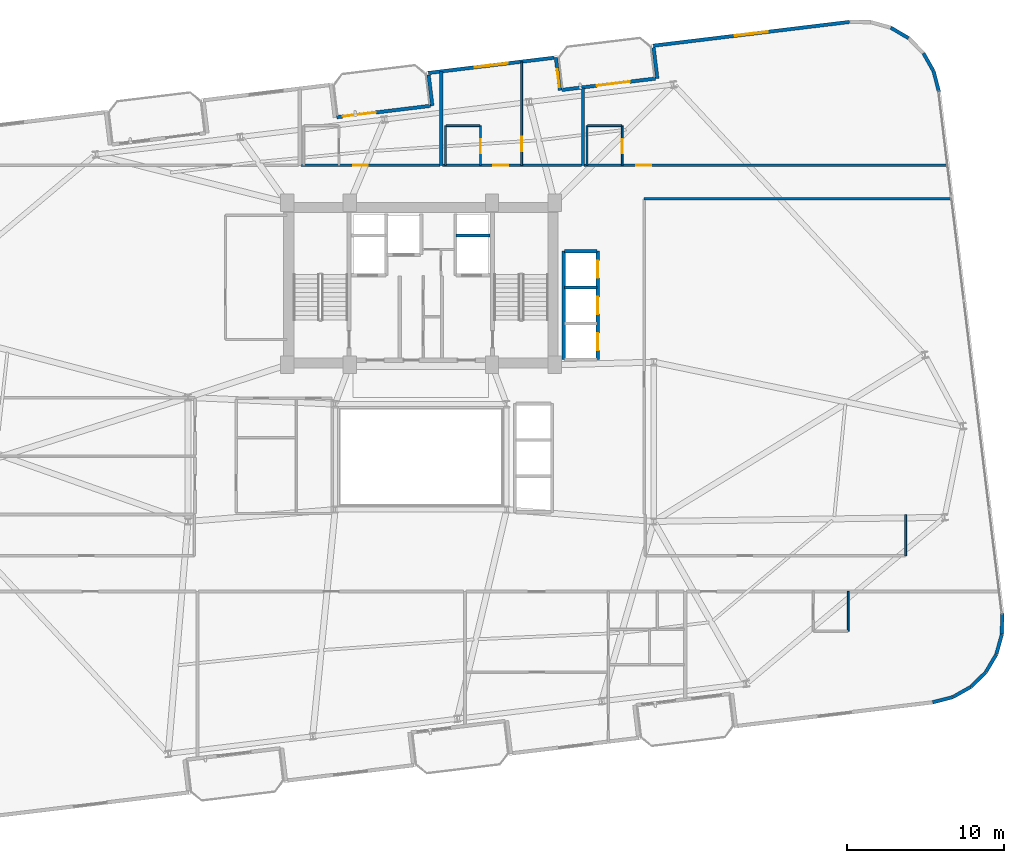
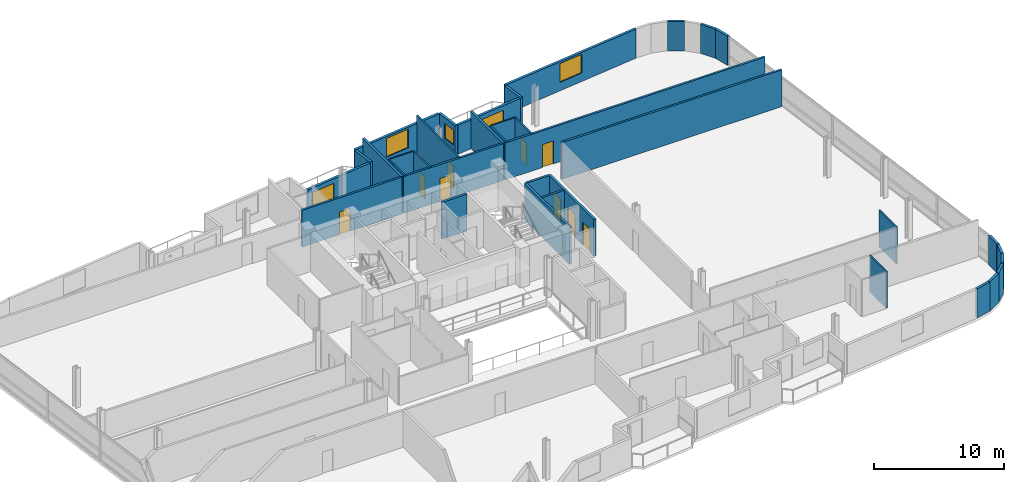
# One storey, part 17 of 22: 36 walls, 11 doors, 3 windows, 14 openings.
"""IFC4 building model written with IfcOpenShell, lengths in metres."""

import ifcopenshell
import ifcopenshell.guid

model = None  # the IFC model being written
_history = None  # IfcOwnerHistory: only IFC2X3 demands one
_inside = {}  # id of a spatial element -> (the spatial element, [elements in it])
_under = {}  # id of a project, library or spatial element -> (it, [spatial elements below it])
_declared = {}  # id of a project -> (the project, [libraries it declares])
_typed = {}  # id of a type object -> (the type object, [elements of that type])
_made_of = {}  # id of a material, layer set ... -> (it, [elements and type objects made of it])


def new_model(schema):
    """Start an empty IFC model of exactly this schema.

    Asked for "IFC4X3", IfcOpenShell would pick the latest addendum, in which some entities
    have other attributes; the version numbers below select the first issue.
    IFC2X3 requires an IfcOwnerHistory on every rooted entity: one is made here for all.
    """
    global model, _history
    if schema == "IFC4X3":
        model = ifcopenshell.file(schema_version=(4, 3, 0, 0))
    else:
        model = ifcopenshell.file(schema=schema)
    _inside.clear()
    _under.clear()
    _declared.clear()
    _typed.clear()
    _made_of.clear()
    _history = None
    if model.schema == "IFC2X3":
        org = make("IfcOrganization", Name="unknown")
        user = make(
            "IfcPersonAndOrganization",
            ThePerson=make("IfcPerson", FamilyName="unknown"),
            TheOrganization=org,
        )
        app = make(
            "IfcApplication",
            ApplicationDeveloper=org,
            Version="unknown",
            ApplicationFullName="unknown",
            ApplicationIdentifier="unknown",
        )
        _history = make(
            "IfcOwnerHistory",
            OwningUser=user,
            OwningApplication=app,
            ChangeAction="ADDED",
            CreationDate=0,
        )
    return model


def make(cls, **values):
    """One entity of the class cls with the attributes given. An attribute that is None is left unset."""
    return model.create_entity(
        cls, **{name: value for name, value in values.items() if value is not None}
    )


def rooted(cls, **values):
    """An entity with a GlobalId (a new one), such as an element, a storey or a relation."""
    return make(cls, GlobalId=ifcopenshell.guid.new(), OwnerHistory=_history, **values)


def si_unit(unit_type, name, prefix=None):
    """IfcSIUnit, for example si_unit("LENGTHUNIT", "METRE", prefix="MILLI")."""
    return make("IfcSIUnit", UnitType=unit_type, Prefix=prefix, Name=name)


def assignment(units):
    """IfcUnitAssignment: the units of a project."""
    return None if units is None else make("IfcUnitAssignment", Units=units)


def point(xyz):
    """IfcCartesianPoint."""
    return None if xyz is None else make("IfcCartesianPoint", Coordinates=xyz)


def direction(xyz):
    """IfcDirection."""
    return None if xyz is None else make("IfcDirection", DirectionRatios=xyz)


def frame(location, z_axis=None, x_axis=None):
    """IfcAxis2Placement3D, a coordinate frame: its origin and axes. An axis left out is left unset."""
    return make(
        "IfcAxis2Placement3D",
        Location=point(location),
        Axis=direction(z_axis),
        RefDirection=direction(x_axis),
    )


def frame_2d(location, x_axis=None):
    """IfcAxis2Placement2D, a coordinate frame in the plane: its origin and x axis."""
    return make(
        "IfcAxis2Placement2D", Location=point(location), RefDirection=direction(x_axis)
    )


def origin():
    """The frame at (0, 0, 0) with its axes left unset."""
    return frame((0.0, 0.0, 0.0))


def place(relative_to, where):
    """IfcLocalPlacement: puts the frame where relative to a parent placement (None: the world)."""
    return make(
        "IfcLocalPlacement", PlacementRelTo=relative_to, RelativePlacement=where
    )


def context(
    kind, dimensions, precision=None, world=None, true_north=None, identifier=None
):
    """IfcGeometricRepresentationContext, for example the 3D "Model" context."""
    return make(
        "IfcGeometricRepresentationContext",
        ContextIdentifier=identifier,
        ContextType=kind,
        CoordinateSpaceDimension=dimensions,
        Precision=precision,
        WorldCoordinateSystem=world,
        TrueNorth=true_north,
    )


def subcontext(parent, identifier, kind, view, scale=None):
    """IfcGeometricRepresentationSubContext, for example "Body" below "Model"."""
    return make(
        "IfcGeometricRepresentationSubContext",
        ContextIdentifier=identifier,
        ContextType=kind,
        ParentContext=parent,
        TargetScale=scale,
        TargetView=view,
    )


def project(units=None, contexts=None):
    """IfcProject with its units and contexts."""
    return rooted(
        "IfcProject",
        Name="project",
        RepresentationContexts=contexts,
        UnitsInContext=assignment(units),
    )


def spatial(cls, under=None, at=None, **own):
    """A site, building, storey or space (cls), placed at a placement, below another one or the project."""
    s = rooted(cls, ObjectPlacement=at, **own)
    if under is not None:
        _under.setdefault(under.id(), (under, []))[1].append(s)
    return s


def profile(cls, at=None, kind="AREA", **sizes):
    """A parametric profile (cls). Its sizes go by their IFC names, for example OverallWidth=200.0."""
    return make(cls, ProfileType=kind, Position=at, **sizes)


def rectangle(**sizes):
    """IfcRectangleProfileDef."""
    return profile("IfcRectangleProfileDef", **sizes)


def extrude(swept, where, along, depth):
    """IfcExtrudedAreaSolid: the profile swept, set in the frame where, extruded along a direction by depth."""
    return make(
        "IfcExtrudedAreaSolid",
        SweptArea=swept,
        Position=where,
        ExtrudedDirection=direction(along),
        Depth=depth,
    )


def shape(context_of_items, identifier, shape_type, items):
    """IfcShapeRepresentation: the items that make up one representation, for example the "Body"."""
    return make(
        "IfcShapeRepresentation",
        ContextOfItems=context_of_items,
        RepresentationIdentifier=identifier,
        RepresentationType=shape_type,
        Items=items,
    )


def material(Name=None, Category=None):
    """IfcMaterial."""
    return make("IfcMaterial", Name=Name, Category=Category)


def layer(
    of_material, thickness, ventilated=None, Name=None, Category=None, Priority=None
):
    """IfcMaterialLayer: one layer of a wall or slab, of a material (None: an air gap)."""
    return make(
        "IfcMaterialLayer",
        Material=of_material,
        LayerThickness=thickness,
        IsVentilated=ventilated,
        Name=Name,
        Category=Category,
        Priority=Priority,
    )


def layer_set(layers, Name=None):
    """IfcMaterialLayerSet."""
    return make("IfcMaterialLayerSet", MaterialLayers=layers, LayerSetName=Name)


def made_of(thing, what):
    """Note that an element or type object is made of a material, layer set ...; save() writes the relation."""
    if what is not None:
        _made_of.setdefault(what.id(), (what, []))[1].append(thing)
    return thing


def type_object(cls, material=None, **own):
    """A type object (cls), such as IfcWallType, which elements share."""
    return made_of(rooted(cls, **own), material)


def element(
    cls,
    number,
    at=None,
    inside=None,
    cuts=None,
    type_object=None,
    material=None,
    context=None,
    identifier="Body",
    shape_type=None,
    held_by="IfcProductDefinitionShape",
    body=None,
    shapes=None,
    **own,
):
    """One element of the class cls, such as IfcWall. Its Tag is "e" and its number.

    at: its placement. inside: the storey or other place that contains it. cuts: it is an
    opening in that element (IfcRelVoidsElement). A single representation is given by context,
    identifier, shape_type and body (its items); several are given by shapes. held_by: the class
    of the entity that holds the representations. save() writes the other relations.
    """
    e = rooted(cls, Tag="e%d" % number, ObjectPlacement=at, **own)
    if body is not None:
        shapes = [shape(context, identifier, shape_type, body)]
    if shapes is not None:
        e.Representation = make(held_by, Representations=shapes)
    if inside is not None:
        _inside.setdefault(inside.id(), (inside, []))[1].append(e)
    if cuts is not None:
        rooted(
            "IfcRelVoidsElement", RelatingBuildingElement=cuts, RelatedOpeningElement=e
        )
    if type_object is not None:
        _typed.setdefault(type_object.id(), (type_object, []))[1].append(e)
    return made_of(e, material)


def fill(opening, filler):
    """IfcRelFillsElement: the door or window that sits in an opening."""
    return rooted(
        "IfcRelFillsElement",
        RelatingOpeningElement=opening,
        RelatedBuildingElement=filler,
    )


def aggregate(whole, parts):
    """IfcRelAggregates: a whole, such as a stair, and the parts it consists of."""
    return rooted("IfcRelAggregates", RelatingObject=whole, RelatedObjects=parts)


def save(model, path):
    """Write the relations noted so far, then the file.

    IfcRelAggregates (storeys below a building ...), IfcRelContainedInSpatialStructure (elements
    in a storey), IfcRelDefinesByType, IfcRelAssociatesMaterial and IfcRelDeclares: one each for
    every whole, place, type object, material and project.
    """
    for whole, parts in _under.values():
        aggregate(whole, parts)
    for where, things in _inside.values():
        rooted(
            "IfcRelContainedInSpatialStructure",
            RelatedElements=things,
            RelatingStructure=where,
        )
    for kind, things in _typed.values():
        rooted("IfcRelDefinesByType", RelatedObjects=things, RelatingType=kind)
    for what, things in _made_of.values():
        rooted("IfcRelAssociatesMaterial", RelatedObjects=things, RelatingMaterial=what)
    for by, libraries in _declared.values():
        rooted("IfcRelDeclares", RelatingContext=by, RelatedDefinitions=libraries)
    model.write(path)


model = new_model("IFC4")

# Units and contexts
model_context = context("Model", 3, precision=1e-05, world=origin(), true_north=direction((0.0, 1.0)))
body_context = subcontext(model_context, "Body", "Model", "MODEL_VIEW")
ifc_project = project(units=[si_unit("LENGTHUNIT", "METRE"), si_unit("AREAUNIT", "SQUARE_METRE"), si_unit("VOLUMEUNIT", "CUBIC_METRE"), si_unit("PLANEANGLEUNIT", "RADIAN"), si_unit("MASSUNIT", "GRAM", prefix="KILO")], contexts=[model_context])

# Site, building, storey
site_placement = place(None, origin())
site = spatial("IfcSite", under=ifc_project, at=site_placement, CompositionType="ELEMENT")
building_placement = place(site_placement, origin())
building = spatial("IfcBuilding", under=site, at=building_placement, Name="Varnelok Gate Tower", CompositionType="ELEMENT")
storey_placement = place(building_placement, frame((0.0, 0.0, 185.699951171875)))
storey = spatial("IfcBuildingStorey", under=building, at=storey_placement, Name="L47", CompositionType="ELEMENT", Elevation=185.699951171875)

# Wall, opening, door
ifc_material_1 = material(Name="Concrete C45/55", Category="concrete")
ifc_layer_1 = layer(ifc_material_1, 0.219970703125)
ifc_layer_set_1 = layer_set([ifc_layer_1], Name="Concrete C45/55")
wall_type_1 = type_object("IfcWallType", Name="EW-BALC-220", PredefinedType="SOLIDWALL", material=ifc_layer_set_1)
wall_1_placement = place(storey_placement, frame((33.852294921875, 44.48583984375, 0.0), z_axis=(0.0, 0.0, 1.0), x_axis=(0.992729951822, 0.120362962556, 0.0)))
wall_1 = element("IfcWall", 1, at=wall_1_placement, inside=storey, type_object=wall_type_1, Name="L47 North Terrace Envelope Wall 5", PredefinedType="SOLIDWALL", context=body_context, shape_type="SweptSolid", body=[
    extrude(rectangle(XDim=6.0, YDim=0.219970703125, at=frame_2d((3.0, 0.0))), origin(), (0.0, 0.0, 1.0), 2.72998046875),
])
opening_1_placement = place(wall_1_placement, frame((0.39990234375, 0.0, 0.0)))
opening_1 = element("IfcOpeningElement", 2, at=opening_1_placement, cuts=wall_1, Name="Opening BD-2", PredefinedType="OPENING", context=body_context, shape_type="SweptSolid", body=[
    extrude(rectangle(XDim=2.10009765625, YDim=2.300048828125, at=frame_2d((1.050048828125, 1.14990234375))), frame((0.0, 0.119873046875, 0.0), z_axis=(0.0, -1.0, 0.0), x_axis=(1.0, 0.0, 0.0)), (0.0, 0.0, 1.0), 0.239990234375),
])
ifc_material_2 = material(Name="Anodized Aluminum Alloy 6063-T6", Category="aluminium")
door_type_1 = type_object("IfcDoorType", Name="DR-EXT-SLID2100", OperationType="SLIDING_TO_LEFT", PredefinedType="DOOR", material=ifc_material_2)
door_1_placement = place(opening_1_placement, origin())
door_1 = element("IfcDoor", 3, at=door_1_placement, inside=storey, type_object=door_type_1, Name="L47 North Balcony Glazed Door 5", OperationType="SLIDING_TO_LEFT", OverallHeight=2.300048828125, OverallWidth=2.10009765625, PredefinedType="DOOR", context=body_context, shape_type="SweptSolid", body=[
    extrude(rectangle(XDim=2.10009765625, YDim=2.300048828125, at=frame_2d((1.050048828125, 1.14990234375))), frame((0.0, 0.02490234375, 0.0), z_axis=(0.0, -1.0, 0.0), x_axis=(1.0, 0.0, 0.0)), (0.0, 0.0, 1.0), 0.050048828125),
])
fill(opening_1, door_1)

wall_2_placement = place(storey_placement, frame((48.147705078125, 46.21875, 0.0), z_axis=(0.0, 0.0, 1.0), x_axis=(0.992729951822, 0.120362962556, 0.0)))
wall_2 = element("IfcWall", 4, at=wall_2_placement, inside=storey, type_object=wall_type_1, Name="L47 North Terrace Envelope Wall 6", PredefinedType="SOLIDWALL", context=body_context, shape_type="SweptSolid", body=[
    extrude(rectangle(XDim=6.0, YDim=0.219970703125, at=frame_2d((3.0, 0.0))), origin(), (0.0, 0.0, 1.0), 2.72998046875),
])
opening_2_placement = place(wall_2_placement, frame((2.260009765625, 0.0, 0.0)))
opening_2 = element("IfcOpeningElement", 5, at=opening_2_placement, cuts=wall_2, Name="Opening BD-2", PredefinedType="OPENING", context=body_context, shape_type="SweptSolid", body=[
    extrude(rectangle(XDim=2.10009765625, YDim=2.300048828125, at=frame_2d((1.050048828125, 1.14990234375))), frame((0.0, 0.119873046875, 0.0), z_axis=(0.0, -1.0, 0.0), x_axis=(1.0, 0.0, 0.0)), (0.0, 0.0, 1.0), 0.239990234375),
])
door_2_placement = place(opening_2_placement, origin())
door_2 = element("IfcDoor", 6, at=door_2_placement, inside=storey, type_object=door_type_1, Name="L47 North Balcony Glazed Door 6", OperationType="SLIDING_TO_LEFT", OverallHeight=2.300048828125, OverallWidth=2.10009765625, PredefinedType="DOOR", context=body_context, shape_type="SweptSolid", body=[
    extrude(rectangle(XDim=2.10009765625, YDim=2.300048828125, at=frame_2d((1.050048828125, 1.14990234375))), frame((0.0, 0.02490234375, 0.0), z_axis=(0.0, -1.0, 0.0), x_axis=(1.0, 0.0, 0.0)), (0.0, 0.0, 1.0), 0.050048828125),
])
fill(opening_2, door_2)

# Walls
wall_3_placement = place(storey_placement, frame((71.71875, 7.305908203125, 0.0), z_axis=(0.0, 0.0, 1.0), x_axis=(0.968541764193, 0.248851061909, 0.0)))
element("IfcWall", 7, at=wall_3_placement, inside=storey, type_object=wall_type_1, Name="L47 Perimeter Facade Closure Wall 17", PredefinedType="SOLIDWALL", context=body_context, shape_type="SweptSolid", body=[
    extrude(rectangle(XDim=1.308837890625, YDim=0.219970703125, at=frame_2d((0.654296875, 0.0))), origin(), (0.0, 0.0, 1.0), 2.72998046875),
])
for number, where, z_axis, x_axis, name in (
    (8, (73.00830078125, 7.64404296875, 0.0), (0.0, 0.0, 1.0), (0.87105877335, 0.491178799797, 0.0), "L47 Perimeter Facade Closure Wall 18"),
    (9, (74.1591796875, 8.30029296875, 0.0), (0.0, 0.0, 1.0), (0.714295394827, 0.699844331926, 0.0), "L47 Perimeter Facade Closure Wall 19"),
    (10, (75.101318359375, 9.232177734375, 0.0), (0.0, 0.0, 1.0), (0.508798863936, 0.860885425627, 0.0), "L47 Perimeter Facade Closure Wall 20"),
    (11, (75.77001953125, 10.376220703125, 0.0), (0.0, 0.0, 1.0), (0.26859243053, 0.963253915778, 0.0), "L47 Perimeter Facade Closure Wall 21"),
):
    element("IfcWall", number, at=place(storey_placement, frame(where, z_axis=z_axis, x_axis=x_axis)), inside=storey, type_object=wall_type_1, Name=name, PredefinedType="SOLIDWALL", context=body_context, shape_type="SweptSolid", body=[
        extrude(rectangle(XDim=1.30078125, YDim=0.219970703125, at=frame_2d((0.650390625, 0.0))), origin(), (0.0, 0.0, 1.0), 2.72998046875),
    ])
wall_4_placement = place(storey_placement, frame((76.11962890625, 11.654052734375, 0.0), z_axis=(0.0, 0.0, 1.0), x_axis=(0.01032033607, 0.999946743914, 0.0)))
element("IfcWall", 12, at=wall_4_placement, inside=storey, type_object=wall_type_1, Name="L47 Perimeter Facade Closure Wall 22", PredefinedType="SOLIDWALL", context=body_context, shape_type="SweptSolid", body=[
    extrude(rectangle(XDim=1.301025390625, YDim=0.219970703125, at=frame_2d((0.650390625, 0.0))), origin(), (0.0, 0.0, 1.0), 2.72998046875),
])
wall_5_placement = place(storey_placement, frame((72.113525390625, 46.1123046875, 0.0), z_axis=(0.0, 0.0, 1.0), x_axis=(-0.248942347653, 0.968518305219, 0.0)))
element("IfcWall", 13, at=wall_5_placement, inside=storey, type_object=wall_type_1, Name="L47 Perimeter Facade Closure Wall 23", PredefinedType="SOLIDWALL", context=body_context, shape_type="SweptSolid", body=[
    extrude(rectangle(XDim=1.325927734375, YDim=0.219970703125, at=frame_2d((0.6630859375, 0.0))), origin(), (0.0, 0.0, 1.0), 2.72998046875),
])
for number, where, z_axis, x_axis, name in (
    (14, (71.771240234375, 47.418212890625, 0.0), (0.0, 0.0, 1.0), (-0.491098509465, 0.871104043155, 0.0), "L47 Perimeter Facade Closure Wall 24"),
    (15, (70.18310546875, 49.51123046875, 0.0), (0.0, 0.0, 1.0), (-0.860933999601, 0.508716668029, 0.0), "L47 Perimeter Facade Closure Wall 26"),
):
    element("IfcWall", number, at=place(storey_placement, frame(where, z_axis=z_axis, x_axis=x_axis)), inside=storey, type_object=wall_type_1, Name=name, PredefinedType="SOLIDWALL", context=body_context, shape_type="SweptSolid", body=[
        extrude(rectangle(XDim=1.301025390625, YDim=0.219970703125, at=frame_2d((0.650390625, 0.0))), origin(), (0.0, 0.0, 1.0), 2.72998046875),
    ])

# Wall, opening, window
wall_6_placement = place(storey_placement, frame((66.427490234375, 50.5400390625, 0.0), z_axis=(0.0, 0.0, 1.0), x_axis=(-0.992731739233, -0.120348219431, 0.0)))
wall_6 = element("IfcWall", 16, at=wall_6_placement, inside=storey, type_object=wall_type_1, Name="L47 Perimeter Facade Closure Wall 29", PredefinedType="SOLIDWALL", context=body_context, shape_type="SweptSolid", body=[
    extrude(rectangle(XDim=12.547119140625, YDim=0.219970703125, at=frame_2d((6.2734375, 0.0))), origin(), (0.0, 0.0, 1.0), 2.72998046875),
])
opening_3_placement = place(wall_6_placement, frame((5.2236328125, 0.0, 0.800048828125)))
opening_3 = element("IfcOpeningElement", 17, at=opening_3_placement, cuts=wall_6, Name="Opening WN4", PredefinedType="OPENING", context=body_context, shape_type="SweptSolid", body=[
    extrude(rectangle(XDim=2.10009765625, YDim=1.75, at=frame_2d((1.050048828125, 0.875))), frame((0.0, 0.119873046875, 0.0), z_axis=(0.0, -1.0, 0.0), x_axis=(1.0, 0.0, 0.0)), (0.0, 0.0, 1.0), 0.239990234375),
])
ifc_material_3 = material(Name="Low-E Laminated Double Glazing IGU", Category="glass")
window_type_1 = type_object("IfcWindowType", Name="WN-SUI-2100", PartitioningType="SINGLE_PANEL", PredefinedType="WINDOW", material=ifc_material_3)
window_1_placement = place(opening_3_placement, origin())
window_1 = element("IfcWindow", 18, at=window_1_placement, inside=storey, type_object=window_type_1, Name="L47 Perimeter Vision Window 29", OverallHeight=1.75, OverallWidth=2.10009765625, PartitioningType="SINGLE_PANEL", PredefinedType="WINDOW", context=body_context, shape_type="SweptSolid", body=[
    extrude(rectangle(XDim=2.10009765625, YDim=1.75, at=frame_2d((1.050048828125, 0.875))), frame((0.0, 0.030029296875, 0.0), z_axis=(0.0, -1.0, 0.0), x_axis=(1.0, 0.0, 0.0)), (0.0, 0.0, 1.0), 0.06005859375),
])
fill(opening_3, window_1)

# Wall
wall_7_placement = place(storey_placement, frame((53.986572265625, 48.906005859375, 0.0), z_axis=(0.0, 0.0, 1.0), x_axis=(0.120397815541, -0.992725725472, 0.0)))
element("IfcWall", 19, at=wall_7_placement, inside=storey, type_object=wall_type_1, Name="L47 Perimeter Facade Closure Wall 30", PredefinedType="SOLIDWALL", context=body_context, shape_type="SweptSolid", body=[
    extrude(rectangle(XDim=1.97509765625, YDim=0.219970703125, at=frame_2d((0.987548828125, 0.0))), origin(), (0.0, 0.0, 1.0), 2.72998046875),
])

# Wall, opening, window
wall_8_placement = place(storey_placement, frame((48.029541015625, 46.1943359375, 0.0), z_axis=(0.0, 0.0, 1.0), x_axis=(-0.120314009587, 0.992735885871, 0.0)))
wall_8 = element("IfcWall", 20, at=wall_8_placement, inside=storey, type_object=wall_type_1, Name="L47 Perimeter Facade Closure Wall 31", PredefinedType="SOLIDWALL", context=body_context, shape_type="SweptSolid", body=[
    extrude(rectangle(XDim=2.10009765625, YDim=0.219970703125, at=frame_2d((1.050048828125, 0.0))), origin(), (0.0, 0.0, 1.0), 2.72998046875),
])
opening_4_placement = place(wall_8_placement, frame((0.199951171875, 0.0, 0.800048828125)))
opening_4 = element("IfcOpeningElement", 21, at=opening_4_placement, cuts=wall_8, Name="Opening WN8", PredefinedType="OPENING", context=body_context, shape_type="SweptSolid", body=[
    extrude(rectangle(XDim=1.14990234375, YDim=1.39990234375, at=frame_2d((0.574951171875, 0.699951171875))), frame((0.0, 0.119873046875, 0.0), z_axis=(0.0, -1.0, 0.0), x_axis=(1.0, 0.0, 0.0)), (0.0, 0.0, 1.0), 0.239990234375),
])
window_type_2 = type_object("IfcWindowType", Name="WN-BED-1150", PartitioningType="SINGLE_PANEL", PredefinedType="WINDOW", material=ifc_material_3)
window_2_placement = place(opening_4_placement, origin())
window_2 = element("IfcWindow", 22, at=window_2_placement, inside=storey, type_object=window_type_2, Name="L47 Bedroom Vision Window 27", OverallHeight=1.39990234375, OverallWidth=1.14990234375, PartitioningType="SINGLE_PANEL", PredefinedType="WINDOW", context=body_context, shape_type="SweptSolid", body=[
    extrude(rectangle(XDim=1.14990234375, YDim=1.39990234375, at=frame_2d((0.574951171875, 0.699951171875))), frame((0.0, 0.030029296875, 0.0), z_axis=(0.0, -1.0, 0.0), x_axis=(1.0, 0.0, 0.0)), (0.0, 0.0, 1.0), 0.06005859375),
])
fill(opening_4, window_2)

wall_9_placement = place(storey_placement, frame((47.65283203125, 48.26416015625, 0.0), z_axis=(0.0, 0.0, 1.0), x_axis=(-0.992731032022, -0.120354052946, 0.0)))
wall_9 = element("IfcWall", 23, at=wall_9_placement, inside=storey, type_object=wall_type_1, Name="L47 Perimeter Facade Closure Wall 32", PredefinedType="SOLIDWALL", context=body_context, shape_type="SweptSolid", body=[
    extrude(rectangle(XDim=8.034912109375, YDim=0.219970703125, at=frame_2d((4.017578125, 0.0))), origin(), (0.0, 0.0, 1.0), 2.72998046875),
])
opening_5_placement = place(wall_9_placement, frame((2.967529296875, 0.0, 0.800048828125)))
opening_5 = element("IfcOpeningElement", 24, at=opening_5_placement, cuts=wall_9, Name="Opening WN4", PredefinedType="OPENING", context=body_context, shape_type="SweptSolid", body=[
    extrude(rectangle(XDim=2.10009765625, YDim=1.75, at=frame_2d((1.050048828125, 0.875))), frame((0.0, 0.119873046875, 0.0), z_axis=(0.0, -1.0, 0.0), x_axis=(1.0, 0.0, 0.0)), (0.0, 0.0, 1.0), 0.239990234375),
])
window_3_placement = place(opening_5_placement, origin())
window_3 = element("IfcWindow", 25, at=window_3_placement, inside=storey, type_object=window_type_1, Name="L47 Perimeter Vision Window 32", OverallHeight=1.75, OverallWidth=2.10009765625, PartitioningType="SINGLE_PANEL", PredefinedType="WINDOW", context=body_context, shape_type="SweptSolid", body=[
    extrude(rectangle(XDim=2.10009765625, YDim=1.75, at=frame_2d((1.050048828125, 0.875))), frame((0.0, 0.030029296875, 0.0), z_axis=(0.0, -1.0, 0.0), x_axis=(1.0, 0.0, 0.0)), (0.0, 0.0, 1.0), 0.06005859375),
])
fill(opening_5, window_3)

# Wall
wall_10_placement = place(storey_placement, frame((39.691162109375, 47.173095703125, 0.0), z_axis=(0.0, 0.0, 1.0), x_axis=(0.120397815541, -0.992725725472, 0.0)))
element("IfcWall", 26, at=wall_10_placement, inside=storey, type_object=wall_type_1, Name="L47 Perimeter Facade Closure Wall 33", PredefinedType="SOLIDWALL", context=body_context, shape_type="SweptSolid", body=[
    extrude(rectangle(XDim=1.97509765625, YDim=0.219970703125, at=frame_2d((0.987548828125, 0.0))), origin(), (0.0, 0.0, 1.0), 2.72998046875),
])

# Wall, opening, door
ifc_material_4 = material(Name="Gypsum Plasterboard Acoustic Partition", Category="gypsum")
ifc_layer_2 = layer(ifc_material_4, 0.179931640625)
ifc_layer_set_2 = layer_set([ifc_layer_2], Name="Gypsum Plasterboard Acoustic Partition")
wall_type_2 = type_object("IfcWallType", Name="PW-CORR-180", PredefinedType="PARTITIONING", material=ifc_layer_set_2)
wall_11_placement = place(storey_placement, frame((31.580078125, 41.429931640625, 0.0), z_axis=(0.0, 0.0, 1.0), x_axis=(1.0, 0.0, 0.0)))
wall_11 = element("IfcWall", 27, at=wall_11_placement, inside=storey, type_object=wall_type_2, Name="Interior Partition", PredefinedType="PARTITIONING", context=body_context, shape_type="SweptSolid", body=[
    extrude(rectangle(XDim=8.83984375, YDim=0.179931640625, at=frame_2d((4.419921875, 0.0))), origin(), (0.0, 0.0, 1.0), 3.449951171875),
])
opening_6_placement = place(wall_11_placement, frame((3.307861328125, 0.0, 0.0)))
opening_6 = element("IfcOpeningElement", 28, at=opening_6_placement, cuts=wall_11, Name="Opening D-HT", PredefinedType="OPENING", context=body_context, shape_type="SweptSolid", body=[
    extrude(rectangle(XDim=0.949951171875, YDim=2.14990234375, at=frame_2d((0.47509765625, 1.074951171875))), frame((0.0, 0.099853515625, 0.0), z_axis=(0.0, -1.0, 0.0), x_axis=(1.0, 0.0, 0.0)), (0.0, 0.0, 1.0), 0.199951171875),
])
ifc_material_5 = material(Name="Engineered Hardwood Timber", Category="wood")
door_type_2 = type_object("IfcDoorType", Name="DR-HTL-950", OperationType="NOTDEFINED", PredefinedType="DOOR", material=ifc_material_5)
door_3_placement = place(opening_6_placement, origin())
door_3 = element("IfcDoor", 29, at=door_3_placement, inside=storey, type_object=door_type_2, Name="L47 Guest Room 06 Entrance Door", OperationType="SINGLE_SWING_LEFT", OverallHeight=2.14990234375, OverallWidth=0.949951171875, PredefinedType="DOOR", context=body_context, shape_type="SweptSolid", body=[
    extrude(rectangle(XDim=0.949951171875, YDim=2.14990234375, at=frame_2d((0.47509765625, 1.074951171875))), frame((0.0, 0.02490234375, 0.0), z_axis=(0.0, -1.0, 0.0), x_axis=(1.0, 0.0, 0.0)), (0.0, 0.0, 1.0), 0.050048828125),
])
fill(opening_6, door_3)

wall_12_placement = place(storey_placement, frame((40.580078125, 41.429931640625, 0.0), z_axis=(0.0, 0.0, 1.0), x_axis=(1.0, 0.0, 0.0)))
wall_12 = element("IfcWall", 30, at=wall_12_placement, inside=storey, type_object=wall_type_2, Name="Interior Partition", PredefinedType="PARTITIONING", context=body_context, shape_type="SweptSolid", body=[
    extrude(rectangle(XDim=8.83984375, YDim=0.179931640625, at=frame_2d((4.419921875, 0.0))), origin(), (0.0, 0.0, 1.0), 3.449951171875),
])
opening_7_placement = place(wall_12_placement, frame((3.22998046875, 0.0, 0.0)))
opening_7 = element("IfcOpeningElement", 31, at=opening_7_placement, cuts=wall_12, Name="Opening D-HT", PredefinedType="OPENING", context=body_context, shape_type="SweptSolid", body=[
    extrude(rectangle(XDim=0.949951171875, YDim=2.14990234375, at=frame_2d((0.47509765625, 1.074951171875))), frame((0.0, 0.099853515625, 0.0), z_axis=(0.0, -1.0, 0.0), x_axis=(1.0, 0.0, 0.0)), (0.0, 0.0, 1.0), 0.199951171875),
])
door_4_placement = place(opening_7_placement, origin())
door_4 = element("IfcDoor", 32, at=door_4_placement, inside=storey, type_object=door_type_2, Name="L47 Guest Room 07 Entrance Door", OperationType="SINGLE_SWING_RIGHT", OverallHeight=2.14990234375, OverallWidth=0.949951171875, PredefinedType="DOOR", context=body_context, shape_type="SweptSolid", body=[
    extrude(rectangle(XDim=0.949951171875, YDim=2.14990234375, at=frame_2d((0.47509765625, 1.074951171875))), frame((0.0, 0.02490234375, 0.0), z_axis=(0.0, -1.0, 0.0), x_axis=(1.0, 0.0, 0.0)), (0.0, 0.0, 1.0), 0.050048828125),
])
fill(opening_7, door_4)

wall_13_placement = place(storey_placement, frame((49.580078125, 41.429931640625, 0.0), z_axis=(0.0, 0.0, 1.0), x_axis=(1.0, 0.0, 0.0)))
wall_13 = element("IfcWall", 33, at=wall_13_placement, inside=storey, type_object=wall_type_2, Name="Interior Partition", PredefinedType="PARTITIONING", context=body_context, shape_type="SweptSolid", body=[
    extrude(rectangle(XDim=23.0419921875, YDim=0.179931640625, at=frame_2d((11.52099609375, 0.0))), origin(), (0.0, 0.0, 1.0), 3.449951171875),
])
opening_8_placement = place(wall_13_placement, frame((3.316650390625, 0.0, 0.0)))
opening_8 = element("IfcOpeningElement", 34, at=opening_8_placement, cuts=wall_13, Name="Opening D-HT", PredefinedType="OPENING", context=body_context, shape_type="SweptSolid", body=[
    extrude(rectangle(XDim=0.949951171875, YDim=2.14990234375, at=frame_2d((0.47509765625, 1.074951171875))), frame((0.0, 0.099853515625, 0.0), z_axis=(0.0, -1.0, 0.0), x_axis=(1.0, 0.0, 0.0)), (0.0, 0.0, 1.0), 0.199951171875),
])
door_5_placement = place(opening_8_placement, origin())
door_5 = element("IfcDoor", 35, at=door_5_placement, inside=storey, type_object=door_type_2, Name="L47 Guest Room 08 Entrance Door", OperationType="SINGLE_SWING_LEFT", OverallHeight=2.14990234375, OverallWidth=0.949951171875, PredefinedType="DOOR", context=body_context, shape_type="SweptSolid", body=[
    extrude(rectangle(XDim=0.949951171875, YDim=2.14990234375, at=frame_2d((0.47509765625, 1.074951171875))), frame((0.0, 0.02490234375, 0.0), z_axis=(0.0, -1.0, 0.0), x_axis=(1.0, 0.0, 0.0)), (0.0, 0.0, 1.0), 0.050048828125),
])
fill(opening_8, door_5)

# Walls
wall_14_placement = place(storey_placement, frame((53.389892578125, 39.300048828125, 0.0), z_axis=(0.0, 0.0, 1.0), x_axis=(1.0, 0.0, 0.0)))
element("IfcWall", 36, at=wall_14_placement, inside=storey, type_object=wall_type_2, Name="Interior Partition", PredefinedType="PARTITIONING", context=body_context, shape_type="SweptSolid", body=[
    extrude(rectangle(XDim=19.490234375, YDim=0.179931640625, at=frame_2d((9.7451171875, 0.0))), origin(), (0.0, 0.0, 1.0), 3.449951171875),
])
ifc_layer_3 = layer(ifc_material_4, 0.114990234375)
ifc_layer_set_3 = layer_set([ifc_layer_3], Name="Gypsum Plasterboard Acoustic Partition")
wall_type_3 = type_object("IfcWallType", Name="PW-ENS-125", PredefinedType="PARTITIONING", material=ifc_layer_set_3)
wall_15_placement = place(storey_placement, frame((66.360107421875, 11.830078125, 0.0), z_axis=(0.0, 0.0, 1.0), x_axis=(0.0, 1.0, 0.0)))
element("IfcWall", 37, at=wall_15_placement, inside=storey, type_object=wall_type_3, Name="Interior Partition", PredefinedType="PARTITIONING", context=body_context, shape_type="SweptSolid", body=[
    extrude(rectangle(XDim=2.52001953125, YDim=0.114990234375, at=frame_2d((1.260009765625, 0.0))), origin(), (0.0, 0.0, 1.0), 3.449951171875),
])
wall_16_placement = place(storey_placement, frame((40.800048828125, 43.949951171875, 0.0), z_axis=(0.0, 0.0, 1.0), x_axis=(1.0, 0.0, 0.0)))
element("IfcWall", 38, at=wall_16_placement, inside=storey, type_object=wall_type_3, Name="Interior Partition", PredefinedType="PARTITIONING", context=body_context, shape_type="SweptSolid", body=[
    extrude(rectangle(XDim=2.14990234375, YDim=0.114990234375, at=frame_2d((1.074951171875, 0.0))), origin(), (0.0, 0.0, 1.0), 3.449951171875),
])

# Wall, opening, door
wall_17_placement = place(storey_placement, frame((42.989990234375, 41.429931640625, 0.0), z_axis=(0.0, 0.0, 1.0), x_axis=(0.0, 1.0, 0.0)))
wall_17 = element("IfcWall", 39, at=wall_17_placement, inside=storey, type_object=wall_type_3, Name="Interior Partition", PredefinedType="PARTITIONING", context=body_context, shape_type="SweptSolid", body=[
    extrude(rectangle(XDim=2.52001953125, YDim=0.114990234375, at=frame_2d((1.260009765625, 0.0))), origin(), (0.0, 0.0, 1.0), 3.449951171875),
])
opening_9_placement = place(wall_17_placement, frame((0.760009765625, 0.0, 0.0)))
opening_9 = element("IfcOpeningElement", 40, at=opening_9_placement, cuts=wall_17, Name="Opening D-WC", PredefinedType="OPENING", context=body_context, shape_type="SweptSolid", body=[
    extrude(rectangle(XDim=0.89990234375, YDim=2.050048828125, at=frame_2d((0.449951171875, 1.02490234375))), frame((0.0, 0.0673828125, 0.0), z_axis=(0.0, -1.0, 0.0), x_axis=(1.0, 0.0, 0.0)), (0.0, 0.0, 1.0), 0.135009765625),
])
door_type_3 = type_object("IfcDoorType", Name="DR-BATH-900", OperationType="NOTDEFINED", PredefinedType="DOOR", material=ifc_material_5)
door_6_placement = place(opening_9_placement, origin())
door_6 = element("IfcDoor", 41, at=door_6_placement, inside=storey, type_object=door_type_3, Name="L47 North En-Suite 07 Door", OperationType="SINGLE_SWING_RIGHT", OverallHeight=2.050048828125, OverallWidth=0.89990234375, PredefinedType="DOOR", context=body_context, shape_type="SweptSolid", body=[
    extrude(rectangle(XDim=0.89990234375, YDim=2.050048828125, at=frame_2d((0.449951171875, 1.02490234375))), frame((0.0, 0.02490234375, 0.0), z_axis=(0.0, -1.0, 0.0), x_axis=(1.0, 0.0, 0.0)), (0.0, 0.0, 1.0), 0.050048828125),
])
fill(opening_9, door_6)

# Walls
wall_18_placement = place(storey_placement, frame((40.760009765625, 41.429931640625, 0.0), z_axis=(0.0, 0.0, 1.0), x_axis=(0.0, 1.0, 0.0)))
element("IfcWall", 42, at=wall_18_placement, inside=storey, type_object=wall_type_3, Name="Interior Partition", PredefinedType="PARTITIONING", context=body_context, shape_type="SweptSolid", body=[
    extrude(rectangle(XDim=2.52001953125, YDim=0.114990234375, at=frame_2d((1.260009765625, 0.0))), origin(), (0.0, 0.0, 1.0), 3.449951171875),
])
wall_19_placement = place(storey_placement, frame((49.800048828125, 43.949951171875, 0.0), z_axis=(0.0, 0.0, 1.0), x_axis=(1.0, 0.0, 0.0)))
element("IfcWall", 43, at=wall_19_placement, inside=storey, type_object=wall_type_3, Name="Interior Partition", PredefinedType="PARTITIONING", context=body_context, shape_type="SweptSolid", body=[
    extrude(rectangle(XDim=2.14990234375, YDim=0.114990234375, at=frame_2d((1.074951171875, 0.0))), origin(), (0.0, 0.0, 1.0), 3.449951171875),
])

# Wall, opening, door
wall_20_placement = place(storey_placement, frame((51.989990234375, 41.429931640625, 0.0), z_axis=(0.0, 0.0, 1.0), x_axis=(0.0, 1.0, 0.0)))
wall_20 = element("IfcWall", 44, at=wall_20_placement, inside=storey, type_object=wall_type_3, Name="Interior Partition", PredefinedType="PARTITIONING", context=body_context, shape_type="SweptSolid", body=[
    extrude(rectangle(XDim=2.52001953125, YDim=0.114990234375, at=frame_2d((1.260009765625, 0.0))), origin(), (0.0, 0.0, 1.0), 3.449951171875),
])
opening_10_placement = place(wall_20_placement, frame((0.760009765625, 0.0, 0.0)))
opening_10 = element("IfcOpeningElement", 45, at=opening_10_placement, cuts=wall_20, Name="Opening D-WC", PredefinedType="OPENING", context=body_context, shape_type="SweptSolid", body=[
    extrude(rectangle(XDim=0.89990234375, YDim=2.050048828125, at=frame_2d((0.449951171875, 1.02490234375))), frame((0.0, 0.0673828125, 0.0), z_axis=(0.0, -1.0, 0.0), x_axis=(1.0, 0.0, 0.0)), (0.0, 0.0, 1.0), 0.135009765625),
])
door_7_placement = place(opening_10_placement, origin())
door_7 = element("IfcDoor", 46, at=door_7_placement, inside=storey, type_object=door_type_3, Name="L47 North En-Suite 08 Door", OperationType="SINGLE_SWING_RIGHT", OverallHeight=2.050048828125, OverallWidth=0.89990234375, PredefinedType="DOOR", context=body_context, shape_type="SweptSolid", body=[
    extrude(rectangle(XDim=0.89990234375, YDim=2.050048828125, at=frame_2d((0.449951171875, 1.02490234375))), frame((0.0, 0.02490234375, 0.0), z_axis=(0.0, -1.0, 0.0), x_axis=(1.0, 0.0, 0.0)), (0.0, 0.0, 1.0), 0.050048828125),
])
fill(opening_10, door_7)

# Walls
wall_21_placement = place(storey_placement, frame((49.760009765625, 41.429931640625, 0.0), z_axis=(0.0, 0.0, 1.0), x_axis=(0.0, 1.0, 0.0)))
element("IfcWall", 47, at=wall_21_placement, inside=storey, type_object=wall_type_3, Name="Interior Partition", PredefinedType="PARTITIONING", context=body_context, shape_type="SweptSolid", body=[
    extrude(rectangle(XDim=2.52001953125, YDim=0.114990234375, at=frame_2d((1.260009765625, 0.0))), origin(), (0.0, 0.0, 1.0), 3.449951171875),
])
ifc_layer_4 = layer(ifc_material_4, 0.125)
ifc_layer_set_4 = layer_set([ifc_layer_4], Name="Gypsum Plasterboard Acoustic Partition")
wall_type_4 = type_object("IfcWallType", Name="PW-PART-125", PredefinedType="PARTITIONING", material=ifc_layer_set_4)
wall_22_placement = place(storey_placement, frame((70.0, 16.610107421875, 0.0), z_axis=(0.0, 0.0, 1.0), x_axis=(0.0, 1.0, 0.0)))
element("IfcWall", 48, at=wall_22_placement, inside=storey, type_object=wall_type_4, Name="Interior Partition", PredefinedType="PARTITIONING", context=body_context, shape_type="SweptSolid", body=[
    extrude(rectangle(XDim=2.6298828125, YDim=0.125, at=frame_2d((1.31494140625, 0.0))), origin(), (0.0, 0.0, 1.0), 3.449951171875),
])

# Wall, opening, door
wall_23_placement = place(storey_placement, frame((45.60009765625, 41.429931640625, 0.0), z_axis=(0.0, 0.0, 1.0), x_axis=(0.0, 1.0, 0.0)))
wall_23 = element("IfcWall", 49, at=wall_23_placement, inside=storey, type_object=wall_type_4, Name="Interior Partition", PredefinedType="PARTITIONING", context=body_context, shape_type="SweptSolid", body=[
    extrude(rectangle(XDim=6.565185546875, YDim=0.125, at=frame_2d((3.28271484375, 0.0))), origin(), (0.0, 0.0, 1.0), 3.449951171875),
])
opening_11_placement = place(wall_23_placement, frame((0.884765625, 0.0, 0.0)))
opening_11 = element("IfcOpeningElement", 50, at=opening_11_placement, cuts=wall_23, Name="Opening D-I3", PredefinedType="OPENING", context=body_context, shape_type="SweptSolid", body=[
    extrude(rectangle(XDim=0.919921875, YDim=2.050048828125, at=frame_2d((0.4599609375, 1.02490234375))), frame((0.0, 0.072509765625, 0.0), z_axis=(0.0, -1.0, 0.0), x_axis=(1.0, 0.0, 0.0)), (0.0, 0.0, 1.0), 0.14501953125),
])
door_type_4 = type_object("IfcDoorType", Name="DR-INT-920", OperationType="NOTDEFINED", PredefinedType="DOOR", material=ifc_material_5)
door_8_placement = place(opening_11_placement, origin())
door_8 = element("IfcDoor", 51, at=door_8_placement, inside=storey, type_object=door_type_4, Name="L47 Suite Bedroom Door 7", OperationType="SINGLE_SWING_LEFT", OverallHeight=2.050048828125, OverallWidth=0.919921875, PredefinedType="DOOR", context=body_context, shape_type="SweptSolid", body=[
    extrude(rectangle(XDim=0.919921875, YDim=2.050048828125, at=frame_2d((0.4599609375, 1.02490234375))), frame((0.0, 0.02490234375, 0.0), z_axis=(0.0, -1.0, 0.0), x_axis=(1.0, 0.0, 0.0)), (0.0, 0.0, 1.0), 0.050048828125),
])
fill(opening_11, door_8)

# Walls
ifc_layer_5 = layer(ifc_material_4, 0.205078125)
ifc_layer_set_5 = layer_set([ifc_layer_5], Name="Gypsum Plasterboard Acoustic Partition")
wall_type_5 = type_object("IfcWallType", Name="PW-PARTY-200", PredefinedType="PARTITIONING", material=ifc_layer_set_5)
wall_24_placement = place(storey_placement, frame((40.5, 41.429931640625, 0.0), z_axis=(0.0, 0.0, 1.0), x_axis=(0.0, 1.0, 0.0)))
element("IfcWall", 52, at=wall_24_placement, inside=storey, type_object=wall_type_5, Name="L47 North Party Wall 2", PredefinedType="PARTITIONING", context=body_context, shape_type="SweptSolid", body=[
    extrude(rectangle(XDim=5.947021484375, YDim=0.205078125, at=frame_2d((2.9736328125, 0.0))), origin(), (0.0, 0.0, 1.0), 3.449951171875),
])
wall_25_placement = place(storey_placement, frame((49.5, 41.429931640625, 0.0), z_axis=(0.0, 0.0, 1.0), x_axis=(0.0, 1.0, 0.0)))
element("IfcWall", 53, at=wall_25_placement, inside=storey, type_object=wall_type_5, Name="L47 North Party Wall 3", PredefinedType="PARTITIONING", context=body_context, shape_type="SweptSolid", body=[
    extrude(rectangle(XDim=4.922607421875, YDim=0.205078125, at=frame_2d((2.46142578125, 0.0))), origin(), (0.0, 0.0, 1.0), 3.449951171875),
])
ifc_material_6 = material(Name="Concrete C35/45", Category="concrete")
ifc_layer_6 = layer(ifc_material_6, 0.199951171875)
ifc_layer_set_6 = layer_set([ifc_layer_6], Name="Concrete C35/45")
wall_type_6 = type_object("IfcWallType", Name="PW-SHAFT-200", PredefinedType="PARTITIONING", material=ifc_layer_set_6)
wall_26_placement = place(storey_placement, frame((41.419921875, 36.97998046875, 0.0), z_axis=(0.0, 0.0, 1.0), x_axis=(1.0, 0.0, 0.0)))
element("IfcWall", 54, at=wall_26_placement, inside=storey, type_object=wall_type_6, Name="L47 FF2 Shaft North Wall", PredefinedType="PARTITIONING", context=body_context, shape_type="SweptSolid", body=[
    extrude(rectangle(XDim=2.18017578125, YDim=0.199951171875, at=frame_2d((1.090087890625, 0.0))), origin(), (0.0, 0.0, 1.0), 3.449951171875),
])
for number, where, z_axis, x_axis, name in (
    (55, (48.320068359375, 33.675048828125, 0.0), (0.0, 0.0, 1.0), (1.0, 0.0, 0.0), "L47 PM2 Divider"),
    (56, (48.320068359375, 35.969970703125, 0.0), (0.0, 0.0, 1.0), (1.0, 0.0, 0.0), "L47 PM Bank North Wall"),
):
    element("IfcWall", number, at=place(storey_placement, frame(where, z_axis=z_axis, x_axis=x_axis)), inside=storey, type_object=wall_type_6, Name=name, PredefinedType="PARTITIONING", context=body_context, shape_type="SweptSolid", body=[
        extrude(rectangle(XDim=2.059814453125, YDim=0.199951171875, at=frame_2d((1.02978515625, 0.0))), origin(), (0.0, 0.0, 1.0), 3.449951171875),
    ])
wall_27_placement = place(storey_placement, frame((48.280029296875, 29.080078125, 0.0), z_axis=(0.0, 0.0, 1.0), x_axis=(0.0, 1.0, 0.0)))
element("IfcWall", 57, at=wall_27_placement, inside=storey, type_object=wall_type_6, Name="L47 PM Bank Back Wall", PredefinedType="PARTITIONING", context=body_context, shape_type="SweptSolid", body=[
    extrude(rectangle(XDim=6.889892578125, YDim=0.199951171875, at=frame_2d((3.44482421875, 0.0))), origin(), (0.0, 0.0, 1.0), 3.449951171875),
])

# Wall, openings, doors
wall_28_placement = place(storey_placement, frame((50.43994140625, 29.080078125, 0.0), z_axis=(0.0, 0.0, 1.0), x_axis=(0.0, 1.0, 0.0)))
wall_28 = element("IfcWall", 58, at=wall_28_placement, inside=storey, type_object=wall_type_6, Name="L47 PM Bank Front Wall", PredefinedType="PARTITIONING", context=body_context, shape_type="SweptSolid", body=[
    extrude(rectangle(XDim=6.889892578125, YDim=0.199951171875, at=frame_2d((3.44482421875, 0.0))), origin(), (0.0, 0.0, 1.0), 3.449951171875),
])
opening_12_placement = place(wall_28_placement, frame((0.590087890625, 0.0, 0.0)))
opening_12 = element("IfcOpeningElement", 59, at=opening_12_placement, cuts=wall_28, Name="Opening LD-PM1", PredefinedType="OPENING", context=body_context, shape_type="SweptSolid", body=[
    extrude(rectangle(XDim=1.10009765625, YDim=2.14990234375, at=frame_2d((0.550048828125, 1.074951171875))), frame((0.0, 0.10986328125, 0.0), z_axis=(0.0, -1.0, 0.0), x_axis=(1.0, 0.0, 0.0)), (0.0, 0.0, 1.0), 0.219970703125),
])
opening_13_placement = place(wall_28_placement, frame((2.889892578125, 0.0, 0.0)))
opening_13 = element("IfcOpeningElement", 60, at=opening_13_placement, cuts=wall_28, Name="Opening LD-PM2", PredefinedType="OPENING", context=body_context, shape_type="SweptSolid", body=[
    extrude(rectangle(XDim=1.10009765625, YDim=2.14990234375, at=frame_2d((0.550048828125, 1.074951171875))), frame((0.0, 0.10986328125, 0.0), z_axis=(0.0, -1.0, 0.0), x_axis=(1.0, 0.0, 0.0)), (0.0, 0.0, 1.0), 0.219970703125),
])
opening_14_placement = place(wall_28_placement, frame((5.18994140625, 0.0, 0.0)))
opening_14 = element("IfcOpeningElement", 61, at=opening_14_placement, cuts=wall_28, Name="Opening LD-PM3", PredefinedType="OPENING", context=body_context, shape_type="SweptSolid", body=[
    extrude(rectangle(XDim=1.10009765625, YDim=2.14990234375, at=frame_2d((0.550048828125, 1.074951171875))), frame((0.0, 0.10986328125, 0.0), z_axis=(0.0, -1.0, 0.0), x_axis=(1.0, 0.0, 0.0)), (0.0, 0.0, 1.0), 0.219970703125),
])
ifc_material_7 = material(Name="Galvanized Steel Grade S350GD", Category="steel")
door_type_5 = type_object("IfcDoorType", Name="DR-LIFT-PAX1100", OperationType="SLIDING_TO_LEFT", PredefinedType="DOOR", material=ifc_material_7)
door_9_placement = place(opening_12_placement, origin())
door_9 = element("IfcDoor", 62, at=door_9_placement, inside=storey, type_object=door_type_5, Name="L47 Passenger Lift Landing Door LD-PM1", OperationType="SLIDING_TO_LEFT", OverallHeight=2.14990234375, OverallWidth=1.10009765625, PredefinedType="DOOR", context=body_context, shape_type="SweptSolid", body=[
    extrude(rectangle(XDim=1.10009765625, YDim=2.14990234375, at=frame_2d((0.550048828125, 1.074951171875))), frame((0.0, 0.02490234375, 0.0), z_axis=(0.0, -1.0, 0.0), x_axis=(1.0, 0.0, 0.0)), (0.0, 0.0, 1.0), 0.050048828125),
])
fill(opening_12, door_9)
door_10_placement = place(opening_13_placement, origin())
door_10 = element("IfcDoor", 63, at=door_10_placement, inside=storey, type_object=door_type_5, Name="L47 Passenger Lift Landing Door LD-PM2", OperationType="SLIDING_TO_LEFT", OverallHeight=2.14990234375, OverallWidth=1.10009765625, PredefinedType="DOOR", context=body_context, shape_type="SweptSolid", body=[
    extrude(rectangle(XDim=1.10009765625, YDim=2.14990234375, at=frame_2d((0.550048828125, 1.074951171875))), frame((0.0, 0.02490234375, 0.0), z_axis=(0.0, -1.0, 0.0), x_axis=(1.0, 0.0, 0.0)), (0.0, 0.0, 1.0), 0.050048828125),
])
fill(opening_13, door_10)
door_11_placement = place(opening_14_placement, origin())
door_11 = element("IfcDoor", 64, at=door_11_placement, inside=storey, type_object=door_type_5, Name="L47 Passenger Lift Landing Door LD-PM3", OperationType="SLIDING_TO_LEFT", OverallHeight=2.14990234375, OverallWidth=1.10009765625, PredefinedType="DOOR", context=body_context, shape_type="SweptSolid", body=[
    extrude(rectangle(XDim=1.10009765625, YDim=2.14990234375, at=frame_2d((0.550048828125, 1.074951171875))), frame((0.0, 0.02490234375, 0.0), z_axis=(0.0, -1.0, 0.0), x_axis=(1.0, 0.0, 0.0)), (0.0, 0.0, 1.0), 0.050048828125),
])
fill(opening_14, door_11)

save(model, "model.ifc")
